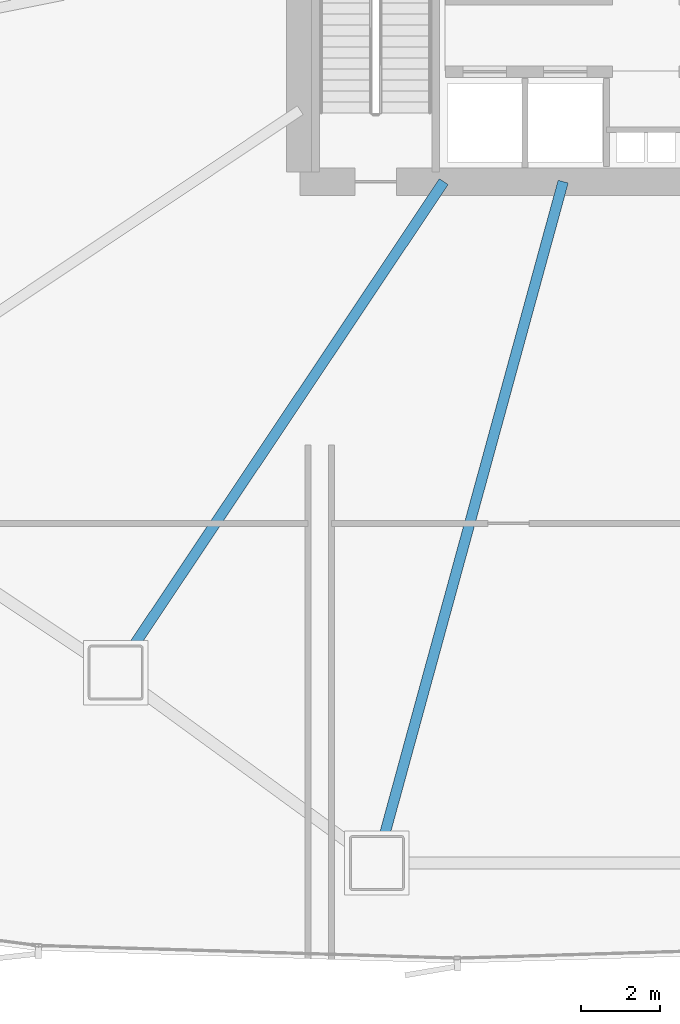
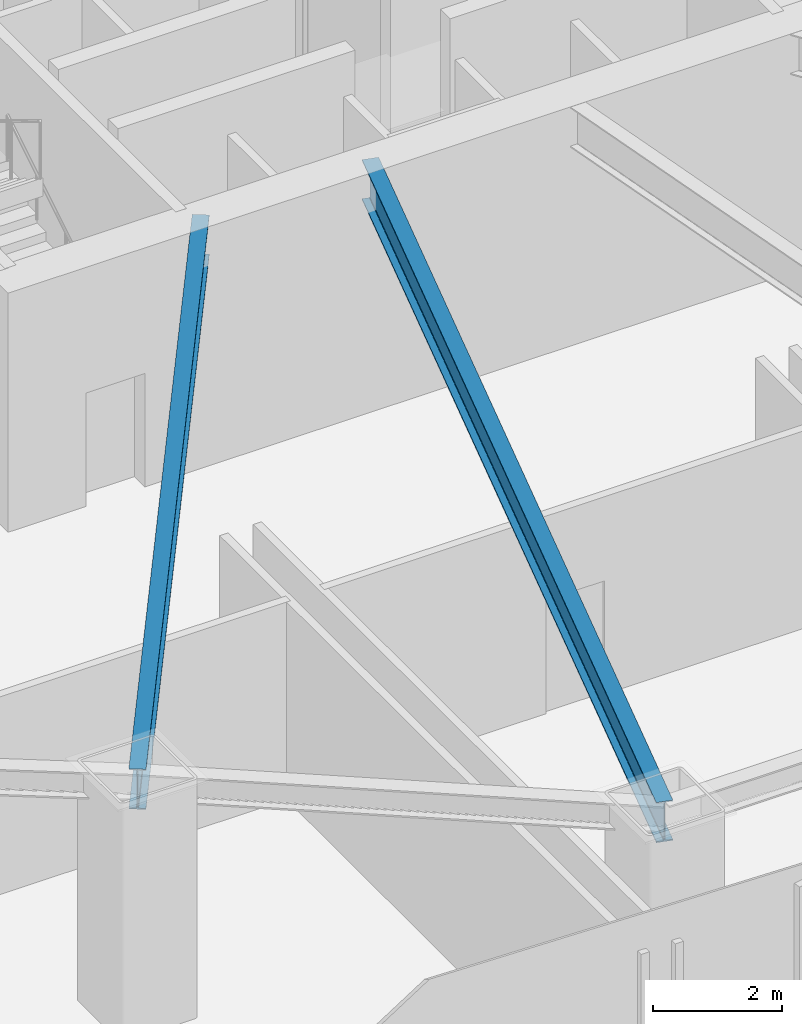
# One storey, part 7 of 34: 2 beams.
"""IFC4 building model written with IfcOpenShell, lengths in metres."""

from ifc_helpers import new_model, si_unit, direction, frame, origin, origin_2d, place, context, subcontext, project, spatial, i_section, extrude, source, transform, mapped, material, material_profile, profile_set, type_object, element, save


model = new_model("IFC4")

# Units and contexts
model_context = context("Model", 3, precision=1e-05, world=origin(), true_north=direction((0.0, 1.0)))
body_context = subcontext(model_context, "Body", "Model", "MODEL_VIEW")
ifc_project = project(units=[si_unit("LENGTHUNIT", "METRE"), si_unit("AREAUNIT", "SQUARE_METRE"), si_unit("VOLUMEUNIT", "CUBIC_METRE"), si_unit("PLANEANGLEUNIT", "RADIAN"), si_unit("MASSUNIT", "GRAM", prefix="KILO"), si_unit("THERMODYNAMICTEMPERATUREUNIT", "KELVIN")], contexts=[model_context])

# Site, building, storey
site_placement = place(None, origin())
site = spatial("IfcSite", under=ifc_project, at=site_placement, CompositionType="ELEMENT")
building_placement = place(site_placement, origin())
building = spatial("IfcBuilding", under=site, at=building_placement, Name="Kethvar Cultural Tower", CompositionType="ELEMENT")
storey_placement = place(building_placement, frame((0.0, 0.0, 14.800048828125)))
storey = spatial("IfcBuildingStorey", under=building, at=storey_placement, Name="L03", CompositionType="ELEMENT", Elevation=14.800048828125)

# Beams
ifc_material = material(Name="Steel S355J2", Category="steel")
ifc_material_profile = material_profile(ifc_material, i_section(OverallWidth=0.26708984375, OverallDepth=0.761962890625, WebThickness=0.014404296875, FlangeThickness=0.021484375, FilletRadius=0.01708984375, at=origin_2d()), Name="Steel S355J2 — IPE750x173")
ifc_profile_set = profile_set([ifc_material_profile], Name="Steel S355J2 — IPE750x173")
beam_type = type_object("IfcBeamType", Name="BM-IPE750", PredefinedType="BEAM", material=ifc_profile_set)
shared_shape_1 = source(origin(), body_context, "Body", "SweptSolid", [
    extrude(i_section(OverallWidth=0.26708984375, OverallDepth=0.761962890625, WebThickness=0.014404296875, FlangeThickness=0.021484375, FilletRadius=0.01708984375, at=origin_2d()), origin(), (0.0, 0.0, 1.0), 17.987060546875),
])
beam_1_placement = place(storey_placement, frame((44.6943359375, 20.10009765625, 4.14697265625), z_axis=(-0.26376624534, -0.964586630541, 0.0), x_axis=(0.964586630541, -0.26376624534, 0.0)))
element("IfcBeam", 1, at=beam_1_placement, inside=storey, type_object=beam_type, Name="L03 Podium Radial Girder 12", PredefinedType="BEAM", context=body_context, shape_type="MappedRepresentation", body=[
    mapped(shared_shape_1, transform((0.0, 0.0, 0.0), scale=1.0)),
])
shared_shape_2 = source(origin(), body_context, "Body", "SweptSolid", [
    extrude(i_section(OverallWidth=0.26708984375, OverallDepth=0.761962890625, WebThickness=0.014404296875, FlangeThickness=0.021484375, FilletRadius=0.01708984375, at=origin_2d()), origin(), (0.0, 0.0, 1.0), 15.03515625),
])
beam_2_placement = place(storey_placement, frame((41.655029296875, 20.10009765625, 4.14697265625), z_axis=(-0.555569254616, -0.83147026605, 0.0), x_axis=(0.83147026605, -0.555569254616, 0.0)))
element("IfcBeam", 2, at=beam_2_placement, inside=storey, type_object=beam_type, Name="L03 Podium Radial Girder 11", PredefinedType="BEAM", context=body_context, shape_type="MappedRepresentation", body=[
    mapped(shared_shape_2, transform((0.0, 0.0, 0.0), scale=1.0)),
])

save(model, "model.ifc")
